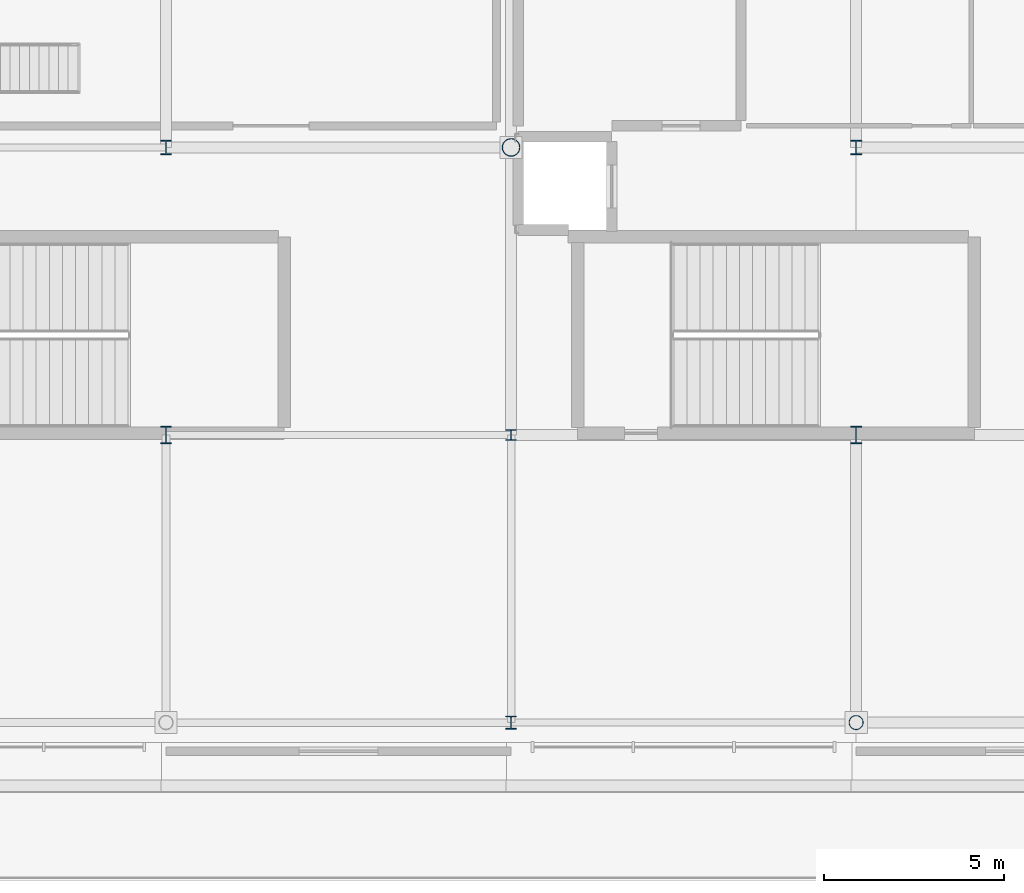
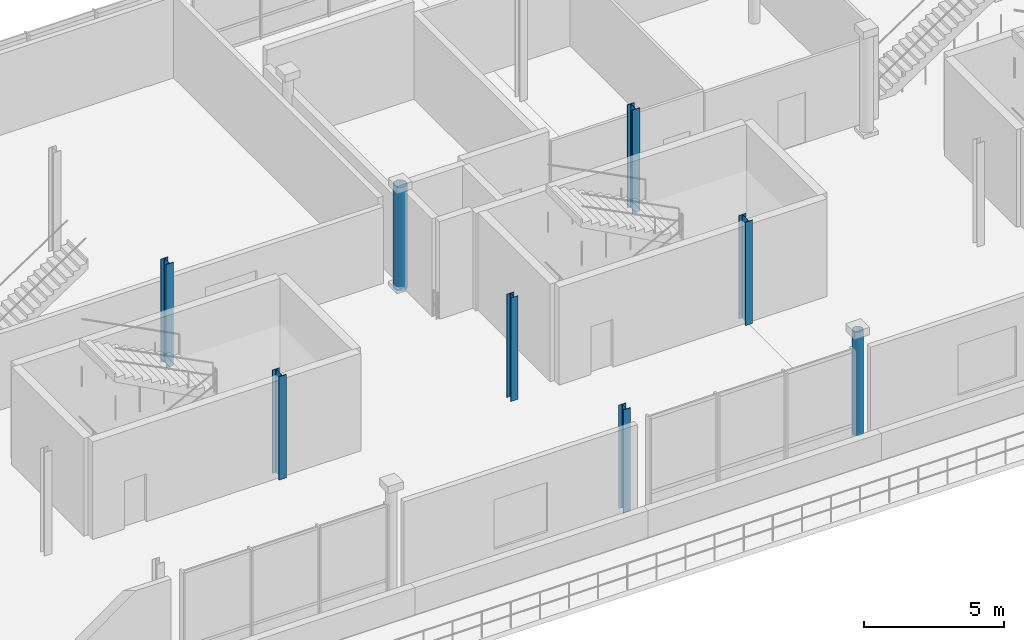
# One storey, part 2 of 36: 8 columns.
"""IFC4 building model written with IfcOpenShell, lengths in metres."""

import ifcopenshell
import ifcopenshell.guid

model = None  # the IFC model being written
_history = None  # IfcOwnerHistory: only IFC2X3 demands one
_inside = {}  # id of a spatial element -> (the spatial element, [elements in it])
_under = {}  # id of a project, library or spatial element -> (it, [spatial elements below it])
_declared = {}  # id of a project -> (the project, [libraries it declares])
_typed = {}  # id of a type object -> (the type object, [elements of that type])
_made_of = {}  # id of a material, layer set ... -> (it, [elements and type objects made of it])


def new_model(schema):
    """Start an empty IFC model of exactly this schema.

    Asked for "IFC4X3", IfcOpenShell would pick the latest addendum, in which some entities
    have other attributes; the version numbers below select the first issue.
    IFC2X3 requires an IfcOwnerHistory on every rooted entity: one is made here for all.
    """
    global model, _history
    if schema == "IFC4X3":
        model = ifcopenshell.file(schema_version=(4, 3, 0, 0))
    else:
        model = ifcopenshell.file(schema=schema)
    _inside.clear()
    _under.clear()
    _declared.clear()
    _typed.clear()
    _made_of.clear()
    _history = None
    if model.schema == "IFC2X3":
        org = make("IfcOrganization", Name="unknown")
        user = make(
            "IfcPersonAndOrganization",
            ThePerson=make("IfcPerson", FamilyName="unknown"),
            TheOrganization=org,
        )
        app = make(
            "IfcApplication",
            ApplicationDeveloper=org,
            Version="unknown",
            ApplicationFullName="unknown",
            ApplicationIdentifier="unknown",
        )
        _history = make(
            "IfcOwnerHistory",
            OwningUser=user,
            OwningApplication=app,
            ChangeAction="ADDED",
            CreationDate=0,
        )
    return model


def make(cls, **values):
    """One entity of the class cls with the attributes given. An attribute that is None is left unset."""
    return model.create_entity(
        cls, **{name: value for name, value in values.items() if value is not None}
    )


def rooted(cls, **values):
    """An entity with a GlobalId (a new one), such as an element, a storey or a relation."""
    return make(cls, GlobalId=ifcopenshell.guid.new(), OwnerHistory=_history, **values)


def si_unit(unit_type, name, prefix=None):
    """IfcSIUnit, for example si_unit("LENGTHUNIT", "METRE", prefix="MILLI")."""
    return make("IfcSIUnit", UnitType=unit_type, Prefix=prefix, Name=name)


def assignment(units):
    """IfcUnitAssignment: the units of a project."""
    return None if units is None else make("IfcUnitAssignment", Units=units)


def point(xyz):
    """IfcCartesianPoint."""
    return None if xyz is None else make("IfcCartesianPoint", Coordinates=xyz)


def direction(xyz):
    """IfcDirection."""
    return None if xyz is None else make("IfcDirection", DirectionRatios=xyz)


def frame(location, z_axis=None, x_axis=None):
    """IfcAxis2Placement3D, a coordinate frame: its origin and axes. An axis left out is left unset."""
    return make(
        "IfcAxis2Placement3D",
        Location=point(location),
        Axis=direction(z_axis),
        RefDirection=direction(x_axis),
    )


def frame_2d(location, x_axis=None):
    """IfcAxis2Placement2D, a coordinate frame in the plane: its origin and x axis."""
    return make(
        "IfcAxis2Placement2D", Location=point(location), RefDirection=direction(x_axis)
    )


def origin():
    """The frame at (0, 0, 0) with its axes left unset."""
    return frame((0.0, 0.0, 0.0))


def origin_2d():
    """The frame at (0, 0) in the plane with its x axis left unset."""
    return frame_2d((0.0, 0.0))


def place(relative_to, where):
    """IfcLocalPlacement: puts the frame where relative to a parent placement (None: the world)."""
    return make(
        "IfcLocalPlacement", PlacementRelTo=relative_to, RelativePlacement=where
    )


def context(
    kind, dimensions, precision=None, world=None, true_north=None, identifier=None
):
    """IfcGeometricRepresentationContext, for example the 3D "Model" context."""
    return make(
        "IfcGeometricRepresentationContext",
        ContextIdentifier=identifier,
        ContextType=kind,
        CoordinateSpaceDimension=dimensions,
        Precision=precision,
        WorldCoordinateSystem=world,
        TrueNorth=true_north,
    )


def subcontext(parent, identifier, kind, view, scale=None):
    """IfcGeometricRepresentationSubContext, for example "Body" below "Model"."""
    return make(
        "IfcGeometricRepresentationSubContext",
        ContextIdentifier=identifier,
        ContextType=kind,
        ParentContext=parent,
        TargetScale=scale,
        TargetView=view,
    )


def project(units=None, contexts=None):
    """IfcProject with its units and contexts."""
    return rooted(
        "IfcProject",
        Name="project",
        RepresentationContexts=contexts,
        UnitsInContext=assignment(units),
    )


def spatial(cls, under=None, at=None, **own):
    """A site, building, storey or space (cls), placed at a placement, below another one or the project."""
    s = rooted(cls, ObjectPlacement=at, **own)
    if under is not None:
        _under.setdefault(under.id(), (under, []))[1].append(s)
    return s


def profile(cls, at=None, kind="AREA", **sizes):
    """A parametric profile (cls). Its sizes go by their IFC names, for example OverallWidth=200.0."""
    return make(cls, ProfileType=kind, Position=at, **sizes)


def hollow_circle(**sizes):
    """IfcCircleHollowProfileDef."""
    return profile("IfcCircleHollowProfileDef", **sizes)


def i_section(**sizes):
    """IfcIShapeProfileDef."""
    return profile("IfcIShapeProfileDef", **sizes)


def extrude(swept, where, along, depth):
    """IfcExtrudedAreaSolid: the profile swept, set in the frame where, extruded along a direction by depth."""
    return make(
        "IfcExtrudedAreaSolid",
        SweptArea=swept,
        Position=where,
        ExtrudedDirection=direction(along),
        Depth=depth,
    )


def shape(context_of_items, identifier, shape_type, items):
    """IfcShapeRepresentation: the items that make up one representation, for example the "Body"."""
    return make(
        "IfcShapeRepresentation",
        ContextOfItems=context_of_items,
        RepresentationIdentifier=identifier,
        RepresentationType=shape_type,
        Items=items,
    )


def material(Name=None, Category=None):
    """IfcMaterial."""
    return make("IfcMaterial", Name=Name, Category=Category)


def material_profile(
    of_material, cross_section, Name=None, Category=None, Priority=None
):
    """IfcMaterialProfile: a cross section and its material."""
    return make(
        "IfcMaterialProfile",
        Name=Name,
        Material=of_material,
        Profile=cross_section,
        Priority=Priority,
        Category=Category,
    )


def profile_set(profiles, Name=None, composite=None):
    """IfcMaterialProfileSet."""
    return make(
        "IfcMaterialProfileSet",
        Name=Name,
        MaterialProfiles=profiles,
        CompositeProfile=composite,
    )


def made_of(thing, what):
    """Note that an element or type object is made of a material, layer set ...; save() writes the relation."""
    if what is not None:
        _made_of.setdefault(what.id(), (what, []))[1].append(thing)
    return thing


def type_object(cls, material=None, **own):
    """A type object (cls), such as IfcWallType, which elements share."""
    return made_of(rooted(cls, **own), material)


def element(
    cls,
    number,
    at=None,
    inside=None,
    cuts=None,
    type_object=None,
    material=None,
    context=None,
    identifier="Body",
    shape_type=None,
    held_by="IfcProductDefinitionShape",
    body=None,
    shapes=None,
    **own,
):
    """One element of the class cls, such as IfcWall. Its Tag is "e" and its number.

    at: its placement. inside: the storey or other place that contains it. cuts: it is an
    opening in that element (IfcRelVoidsElement). A single representation is given by context,
    identifier, shape_type and body (its items); several are given by shapes. held_by: the class
    of the entity that holds the representations. save() writes the other relations.
    """
    e = rooted(cls, Tag="e%d" % number, ObjectPlacement=at, **own)
    if body is not None:
        shapes = [shape(context, identifier, shape_type, body)]
    if shapes is not None:
        e.Representation = make(held_by, Representations=shapes)
    if inside is not None:
        _inside.setdefault(inside.id(), (inside, []))[1].append(e)
    if cuts is not None:
        rooted(
            "IfcRelVoidsElement", RelatingBuildingElement=cuts, RelatedOpeningElement=e
        )
    if type_object is not None:
        _typed.setdefault(type_object.id(), (type_object, []))[1].append(e)
    return made_of(e, material)


def aggregate(whole, parts):
    """IfcRelAggregates: a whole, such as a stair, and the parts it consists of."""
    return rooted("IfcRelAggregates", RelatingObject=whole, RelatedObjects=parts)


def save(model, path):
    """Write the relations noted so far, then the file.

    IfcRelAggregates (storeys below a building ...), IfcRelContainedInSpatialStructure (elements
    in a storey), IfcRelDefinesByType, IfcRelAssociatesMaterial and IfcRelDeclares: one each for
    every whole, place, type object, material and project.
    """
    for whole, parts in _under.values():
        aggregate(whole, parts)
    for where, things in _inside.values():
        rooted(
            "IfcRelContainedInSpatialStructure",
            RelatedElements=things,
            RelatingStructure=where,
        )
    for kind, things in _typed.values():
        rooted("IfcRelDefinesByType", RelatedObjects=things, RelatingType=kind)
    for what, things in _made_of.values():
        rooted("IfcRelAssociatesMaterial", RelatedObjects=things, RelatingMaterial=what)
    for by, libraries in _declared.values():
        rooted("IfcRelDeclares", RelatingContext=by, RelatedDefinitions=libraries)
    model.write(path)


model = new_model("IFC4")

# Units and contexts
model_context = context("Model", 3, precision=1e-05, world=origin(), true_north=direction((0.0, 1.0)))
body_context = subcontext(model_context, "Body", "Model", "MODEL_VIEW")
ifc_project = project(units=[si_unit("LENGTHUNIT", "METRE"), si_unit("AREAUNIT", "SQUARE_METRE"), si_unit("VOLUMEUNIT", "CUBIC_METRE"), si_unit("PLANEANGLEUNIT", "RADIAN"), si_unit("MASSUNIT", "GRAM", prefix="KILO")], contexts=[model_context])

# Site, building, storey
site_placement = place(None, origin())
site = spatial("IfcSite", under=ifc_project, at=site_placement, CompositionType="ELEMENT")
building_placement = place(site_placement, origin())
building = spatial("IfcBuilding", under=site, at=building_placement, Name="Danafjord Basin Convention Centre", CompositionType="ELEMENT")
storey_placement = place(building_placement, frame((0.0, 0.0, 20.39990234375)))
storey = spatial("IfcBuildingStorey", under=building, at=storey_placement, Name="L04", CompositionType="ELEMENT", Elevation=20.39990234375)

# Columns
ifc_material = material(Name="Steel S355", Category="steel")
ifc_material_profile_1 = material_profile(ifc_material, hollow_circle(Radius=0.203125, WallThickness=0.02001953125, at=origin_2d()), Name="CHS 406.4x20.0")
ifc_profile_set_1 = profile_set([ifc_material_profile_1], Name="Steel S355")
column_type_1 = type_object("IfcColumnType", Name="COL-C-CHS406", PredefinedType="COLUMN", material=ifc_profile_set_1)
column_1_placement = place(storey_placement, frame((57.60009765625, 8.0, 0.0), z_axis=(0.0, 0.0, 1.0), x_axis=(1.0, 0.0, 0.0)))
element("IfcColumn", 1, at=column_1_placement, inside=storey, type_object=column_type_1, Name="L04 column C-CHS406 at (57.6, 8.0)", PredefinedType="COLUMN", context=body_context, shape_type="SweptSolid", body=[
    extrude(hollow_circle(Radius=0.203125, WallThickness=0.02001953125, at=origin_2d()), origin(), (0.0, 0.0, 1.0), 4.5),
])
ifc_material_profile_2 = material_profile(ifc_material, hollow_circle(Radius=0.25390625, WallThickness=0.02490234375, at=origin_2d()), Name="CHS 508.0x25.0")
ifc_profile_set_2 = profile_set([ifc_material_profile_2], Name="Steel S355")
column_type_2 = type_object("IfcColumnType", Name="COL-C-CHS508", PredefinedType="COLUMN", material=ifc_profile_set_2)
column_2_placement = place(storey_placement, frame((48.0, 24.0, 0.0), z_axis=(0.0, 0.0, 1.0), x_axis=(1.0, 0.0, 0.0)))
element("IfcColumn", 2, at=column_2_placement, inside=storey, type_object=column_type_2, Name="L04 column C-CHS508 at (48.0, 24.0)", PredefinedType="COLUMN", context=body_context, shape_type="SweptSolid", body=[
    extrude(hollow_circle(Radius=0.25390625, WallThickness=0.02490234375, at=origin_2d()), origin(), (0.0, 0.0, 1.0), 4.5),
])
ifc_material_profile_3 = material_profile(ifc_material, i_section(OverallWidth=0.300048828125, OverallDepth=0.300048828125, WebThickness=0.010986328125, FlangeThickness=0.01904296875, FilletRadius=0.027099609375, at=origin_2d()), Name="HEB 300")
ifc_profile_set_3 = profile_set([ifc_material_profile_3], Name="Steel S355")
column_type_3 = type_object("IfcColumnType", Name="COL-C-HEB300", PredefinedType="COLUMN", material=ifc_profile_set_3)
column_3_placement = place(storey_placement, frame((48.0, 16.0, 0.0), z_axis=(0.0, 0.0, 1.0), x_axis=(1.0, 0.0, 0.0)))
element("IfcColumn", 3, at=column_3_placement, inside=storey, type_object=column_type_3, Name="L04 column C-HEB300 at (48.0, 16.0)", PredefinedType="COLUMN", context=body_context, shape_type="SweptSolid", body=[
    extrude(i_section(OverallWidth=0.300048828125, OverallDepth=0.300048828125, WebThickness=0.010986328125, FlangeThickness=0.01904296875, FilletRadius=0.027099609375, at=origin_2d()), origin(), (0.0, 0.0, 1.0), 4.5),
])
ifc_material_profile_4 = material_profile(ifc_material, i_section(OverallWidth=0.300048828125, OverallDepth=0.360107421875, WebThickness=0.012451171875, FlangeThickness=0.0224609375, FilletRadius=0.027099609375, at=origin_2d()), Name="HEB 360")
ifc_profile_set_4 = profile_set([ifc_material_profile_4], Name="Steel S355")
column_type_4 = type_object("IfcColumnType", Name="COL-C-HEB360", PredefinedType="COLUMN", material=ifc_profile_set_4)
column_4_placement = place(storey_placement, frame((48.0, 8.0, 0.0), z_axis=(0.0, 0.0, 1.0), x_axis=(1.0, 0.0, 0.0)))
element("IfcColumn", 4, at=column_4_placement, inside=storey, type_object=column_type_4, Name="L04 column C-HEB360 at (48.0, 8.0)", PredefinedType="COLUMN", context=body_context, shape_type="SweptSolid", body=[
    extrude(i_section(OverallWidth=0.300048828125, OverallDepth=0.360107421875, WebThickness=0.012451171875, FlangeThickness=0.0224609375, FilletRadius=0.027099609375, at=origin_2d()), origin(), (0.0, 0.0, 1.0), 4.5),
])
ifc_material_profile_5 = material_profile(ifc_material, i_section(OverallWidth=0.300048828125, OverallDepth=0.39990234375, WebThickness=0.013427734375, FlangeThickness=0.02392578125, FilletRadius=0.027099609375, at=origin_2d()), Name="HEB 400")
ifc_profile_set_5 = profile_set([ifc_material_profile_5], Name="Steel S355")
column_type_5 = type_object("IfcColumnType", Name="COL-C-HEB400", PredefinedType="COLUMN", material=ifc_profile_set_5)
for number, where, z_axis, x_axis, name in (
    (5, (38.39990234375, 24.0, 0.0), (0.0, 0.0, 1.0), (1.0, 0.0, 0.0), "L04 column C-HEB400 at (38.4, 24.0)"),
    (6, (57.60009765625, 24.0, 0.0), (0.0, 0.0, 1.0), (1.0, 0.0, 0.0), "L04 column C-HEB400 at (57.6, 24.0)"),
):
    element("IfcColumn", number, at=place(storey_placement, frame(where, z_axis=z_axis, x_axis=x_axis)), inside=storey, type_object=column_type_5, Name=name, PredefinedType="COLUMN", context=body_context, shape_type="SweptSolid", body=[
        extrude(i_section(OverallWidth=0.300048828125, OverallDepth=0.39990234375, WebThickness=0.013427734375, FlangeThickness=0.02392578125, FilletRadius=0.027099609375, at=origin_2d()), origin(), (0.0, 0.0, 1.0), 4.5),
    ])
ifc_material_profile_6 = material_profile(ifc_material, i_section(OverallWidth=0.300048828125, OverallDepth=0.5, WebThickness=0.014404296875, FlangeThickness=0.028076171875, FilletRadius=0.027099609375, at=origin_2d()), Name="HEB 500")
ifc_profile_set_6 = profile_set([ifc_material_profile_6], Name="Steel S355")
column_type_6 = type_object("IfcColumnType", Name="COL-C-HEB500", PredefinedType="COLUMN", material=ifc_profile_set_6)
for number, where, z_axis, x_axis, name in (
    (7, (38.39990234375, 16.0, 0.0), (0.0, 0.0, 1.0), (1.0, 0.0, 0.0), "L04 column C-HEB500 at (38.4, 16.0)"),
    (8, (57.60009765625, 16.0, 0.0), (0.0, 0.0, 1.0), (1.0, 0.0, 0.0), "L04 column C-HEB500 at (57.6, 16.0)"),
):
    element("IfcColumn", number, at=place(storey_placement, frame(where, z_axis=z_axis, x_axis=x_axis)), inside=storey, type_object=column_type_6, Name=name, PredefinedType="COLUMN", context=body_context, shape_type="SweptSolid", body=[
        extrude(i_section(OverallWidth=0.300048828125, OverallDepth=0.5, WebThickness=0.014404296875, FlangeThickness=0.028076171875, FilletRadius=0.027099609375, at=origin_2d()), origin(), (0.0, 0.0, 1.0), 4.5),
    ])

save(model, "model.ifc")
